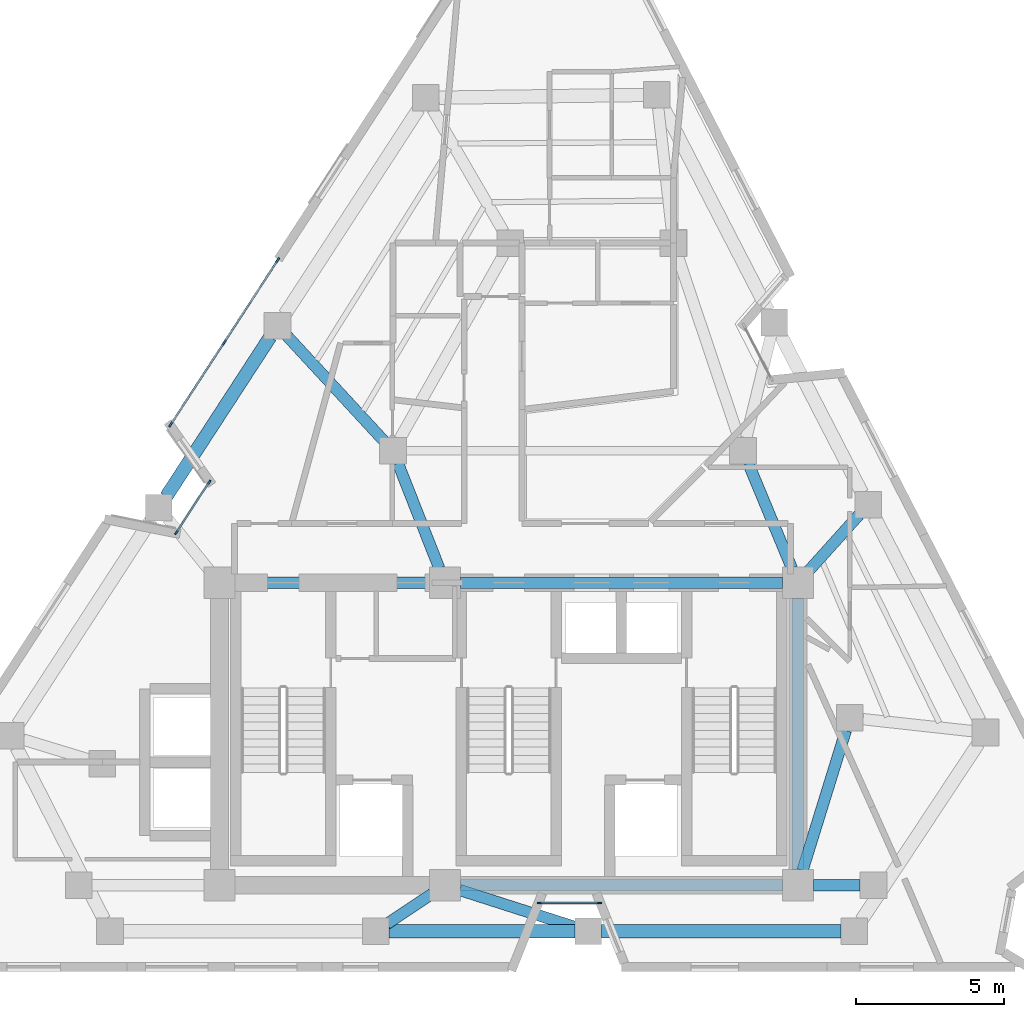
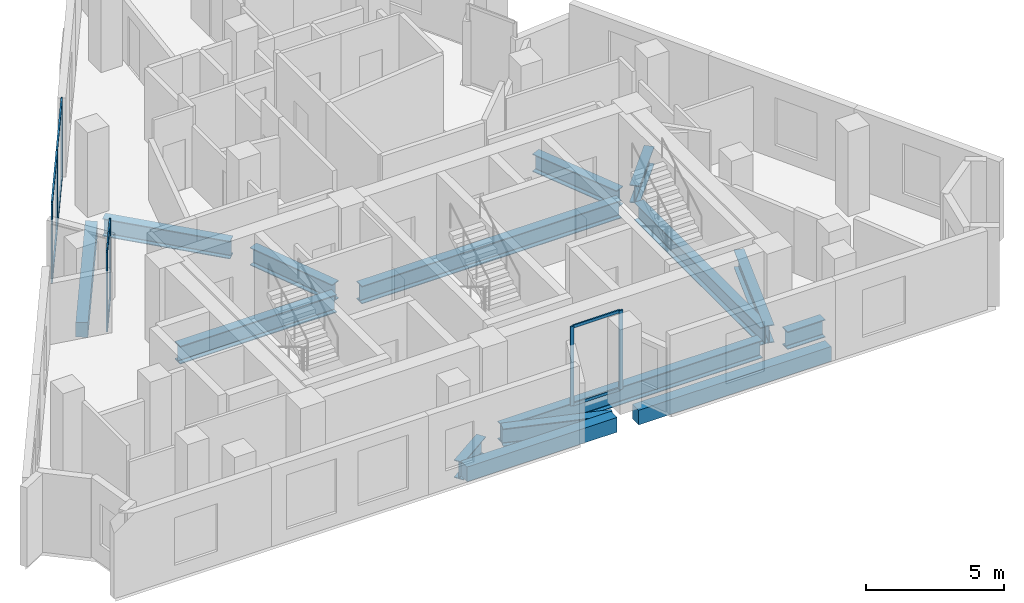
# One storey, part 2 of 9: 15 beams, 15 members, 3 elements without a shape of their own.
"""IFC4 building model written with IfcOpenShell, lengths in metres."""

from ifc_helpers import new_model, si_unit, direction, frame, origin, origin_2d, place, context, subcontext, project, spatial, rectangle, i_section, extrude, material, layer, layer_set, material_profile, profile_set, type_object, element, aggregate, save


model = new_model("IFC4")

# Units and contexts
model_context = context("Model", 3, precision=1e-05, world=origin(), true_north=direction((0.0, 1.0)))
body_context = subcontext(model_context, "Body", "Model", "MODEL_VIEW")
ifc_project = project(units=[si_unit("LENGTHUNIT", "METRE"), si_unit("AREAUNIT", "SQUARE_METRE"), si_unit("VOLUMEUNIT", "CUBIC_METRE"), si_unit("PLANEANGLEUNIT", "RADIAN"), si_unit("MASSUNIT", "GRAM", prefix="KILO")], contexts=[model_context])

# Site, building, storey
site_placement = place(None, origin())
site = spatial("IfcSite", under=ifc_project, at=site_placement, CompositionType="ELEMENT")
building_placement = place(site_placement, origin())
building = spatial("IfcBuilding", under=site, at=building_placement, Name="Almagre Mirador Tower", CompositionType="ELEMENT")
storey_placement = place(building_placement, frame((0.0, 0.0, 210.75)))
storey = spatial("IfcBuildingStorey", under=building, at=storey_placement, Name="L54", CompositionType="ELEMENT", Elevation=210.75)

# Beams
ifc_material_1 = material(Name="Precast concrete C50/60", Category="concrete")
ifc_material_profile_1 = material_profile(ifc_material_1, rectangle(XDim=0.449951171875, YDim=0.64990234375, at=origin_2d()), Name="RC450X650")
ifc_profile_set_1 = profile_set([ifc_material_profile_1], Name="Precast concrete C50/60")
beam_type_1 = type_object("IfcBeamType", Name="BM-SPN-RC450X650", PredefinedType="SPANDREL", material=ifc_profile_set_1)
beam_1_placement = place(storey_placement, frame((33.26611328125, 3.0, -0.574951171875), z_axis=(1.0, 0.0, 0.0), x_axis=(0.0, 1.0, 0.0)))
element("IfcBeam", 1, at=beam_1_placement, inside=storey, type_object=beam_type_1, Name="L54 perimeter spandrel beam PC02-PC03", PredefinedType="SPANDREL", context=body_context, shape_type="SweptSolid", body=[
    extrude(rectangle(XDim=0.449951171875, YDim=0.64990234375, at=origin_2d()), origin(), (0.0, 0.0, 1.0), 6.267822265625),
])
beam_2_placement = place(storey_placement, frame((40.43408203125, 3.0, -0.574951171875), z_axis=(1.0, 0.0, 0.0), x_axis=(0.0, 1.0, 0.0)))
element("IfcBeam", 2, at=beam_2_placement, inside=storey, type_object=beam_type_1, Name="L54 perimeter spandrel beam PC03-PC04", PredefinedType="SPANDREL", context=body_context, shape_type="SweptSolid", body=[
    extrude(rectangle(XDim=0.449951171875, YDim=0.64990234375, at=origin_2d()), origin(), (0.0, 0.0, 1.0), 8.059814453125),
])
beam_3_placement = place(storey_placement, frame((29.260498046875, 23.039794921875, -0.574951171875), z_axis=(-0.545617994426, -0.838034011337, 0.0), x_axis=(0.838034011337, -0.545617994426, 0.0)))
element("IfcBeam", 3, at=beam_3_placement, inside=storey, type_object=beam_type_1, Name="L54 perimeter spandrel beam PC10-PC11", PredefinedType="SPANDREL", context=body_context, shape_type="SweptSolid", body=[
    extrude(rectangle(XDim=0.449951171875, YDim=0.64990234375, at=origin_2d()), origin(), (0.0, 0.0, 1.0), 6.431396484375),
])
ifc_material_2 = material(Name="Steel ASTM A992 Grade 50", Category="steel")
ifc_material_profile_2 = material_profile(ifc_material_2, i_section(OverallWidth=0.384033203125, OverallDepth=0.784912109375, WebThickness=0.019775390625, FlangeThickness=0.033447265625, FilletRadius=0.02392578125, at=origin_2d()), Name="W30X211")
ifc_profile_set_2 = profile_set([ifc_material_profile_2], Name="Steel ASTM A992 Grade 50")
beam_type_2 = type_object("IfcBeamType", Name="BM-STL-W30X211", PredefinedType="BEAM", material=ifc_profile_set_2)
beam_4_placement = place(storey_placement, frame((35.675048828125, 4.550048828125, -0.642578125), z_axis=(1.0, 0.0, 0.0), x_axis=(0.0, 1.0, 0.0)))
element("IfcBeam", 4, at=beam_4_placement, inside=storey, type_object=beam_type_2, Name="L54 core tie girder CC2-CC3", PredefinedType="BEAM", context=body_context, shape_type="SweptSolid", body=[
    extrude(i_section(OverallWidth=0.384033203125, OverallDepth=0.784912109375, WebThickness=0.019775390625, FlangeThickness=0.033447265625, FilletRadius=0.02392578125, at=origin_2d()), origin(), (0.0, 0.0, 1.0), 10.849853515625),
])
beam_5_placement = place(storey_placement, frame((28.074951171875, 14.75, -0.642578125), z_axis=(1.0, 0.0, 0.0), x_axis=(0.0, 1.0, 0.0)))
element("IfcBeam", 5, at=beam_5_placement, inside=storey, type_object=beam_type_2, Name="L54 core tie girder CC4-CC5", PredefinedType="BEAM", context=body_context, shape_type="SweptSolid", body=[
    extrude(i_section(OverallWidth=0.384033203125, OverallDepth=0.784912109375, WebThickness=0.019775390625, FlangeThickness=0.033447265625, FilletRadius=0.02392578125, at=origin_2d()), origin(), (0.0, 0.0, 1.0), 6.550048828125),
])
beam_6_placement = place(storey_placement, frame((35.675048828125, 14.75, -0.642578125), z_axis=(1.0, 0.0, 0.0), x_axis=(0.0, 1.0, 0.0)))
element("IfcBeam", 6, at=beam_6_placement, inside=storey, type_object=beam_type_2, Name="L54 core tie girder CC5-CC6", PredefinedType="BEAM", context=body_context, shape_type="SweptSolid", body=[
    extrude(i_section(OverallWidth=0.384033203125, OverallDepth=0.784912109375, WebThickness=0.019775390625, FlangeThickness=0.033447265625, FilletRadius=0.02392578125, at=origin_2d()), origin(), (0.0, 0.0, 1.0), 10.849853515625),
])
beam_7_placement = place(storey_placement, frame((47.050048828125, 5.074951171875, -0.642578125), z_axis=(0.0, 1.0, 0.0), x_axis=(-1.0, 0.0, 0.0)))
element("IfcBeam", 7, at=beam_7_placement, inside=storey, type_object=beam_type_2, Name="L54 core tie girder CC3-CC6", PredefinedType="BEAM", context=body_context, shape_type="SweptSolid", body=[
    extrude(i_section(OverallWidth=0.384033203125, OverallDepth=0.784912109375, WebThickness=0.019775390625, FlangeThickness=0.033447265625, FilletRadius=0.02392578125, at=origin_2d()), origin(), (0.0, 0.0, 1.0), 9.150146484375),
])
beam_8_placement = place(storey_placement, frame((49.14990234375, 4.550048828125, -0.642578125), z_axis=(-1.0, 0.0, 0.0), x_axis=(0.0, -1.0, 0.0)))
element("IfcBeam", 8, at=beam_8_placement, inside=storey, type_object=beam_type_2, Name="L54 core tie girder MC2-CC3", PredefinedType="BEAM", context=body_context, shape_type="SweptSolid", body=[
    extrude(i_section(OverallWidth=0.384033203125, OverallDepth=0.784912109375, WebThickness=0.019775390625, FlangeThickness=0.033447265625, FilletRadius=0.02392578125, at=origin_2d()), origin(), (0.0, 0.0, 1.0), 1.574951171875),
])
beam_9_placement = place(storey_placement, frame((48.6669921875, 9.77001953125, -0.642578125), z_axis=(-0.295901717967, -0.955218390372, 0.0), x_axis=(0.955218390372, -0.295901717967, 0.0)))
element("IfcBeam", 9, at=beam_9_placement, inside=storey, type_object=beam_type_2, Name="L54 core tie girder MC3-CC3", PredefinedType="BEAM", context=body_context, shape_type="SweptSolid", body=[
    extrude(i_section(OverallWidth=0.384033203125, OverallDepth=0.784912109375, WebThickness=0.019775390625, FlangeThickness=0.033447265625, FilletRadius=0.02392578125, at=origin_2d()), origin(), (0.0, 0.0, 1.0), 4.939697265625),
])
beam_10_placement = place(storey_placement, frame((45.372802734375, 18.784423828125, -0.642578125), z_axis=(0.383862140668, -0.923390414159, 0.0), x_axis=(0.923390414159, 0.383862140668, 0.0)))
element("IfcBeam", 10, at=beam_10_placement, inside=storey, type_object=beam_type_2, Name="L54 core tie girder MC5-CC6", PredefinedType="BEAM", context=body_context, shape_type="SweptSolid", body=[
    extrude(i_section(OverallWidth=0.384033203125, OverallDepth=0.784912109375, WebThickness=0.019775390625, FlangeThickness=0.033447265625, FilletRadius=0.02392578125, at=origin_2d()), origin(), (0.0, 0.0, 1.0), 3.843994140625),
])
beam_11_placement = place(storey_placement, frame((33.564697265625, 18.78125, -0.642578125), z_axis=(0.365999579355, -0.93061501595, 0.0), x_axis=(0.93061501595, 0.365999579355, 0.0)))
element("IfcBeam", 11, at=beam_11_placement, inside=storey, type_object=beam_type_2, Name="L54 core tie girder MC8-CC5", PredefinedType="BEAM", context=body_context, shape_type="SweptSolid", body=[
    extrude(i_section(OverallWidth=0.384033203125, OverallDepth=0.784912109375, WebThickness=0.019775390625, FlangeThickness=0.033447265625, FilletRadius=0.02392578125, at=origin_2d()), origin(), (0.0, 0.0, 1.0), 3.806884765625),
])
beam_12_placement = place(storey_placement, frame((33.19091796875, 3.248779296875, -0.642578125), z_axis=(0.832994863914, 0.553280721419, 0.0), x_axis=(-0.553280721419, 0.832994863914, 0.0)))
element("IfcBeam", 12, at=beam_12_placement, inside=storey, type_object=beam_type_2, Name="L54 radial floor girder PC02-CC2", PredefinedType="BEAM", context=body_context, shape_type="SweptSolid", body=[
    extrude(i_section(OverallWidth=0.384033203125, OverallDepth=0.784912109375, WebThickness=0.019775390625, FlangeThickness=0.033447265625, FilletRadius=0.02392578125, at=origin_2d()), origin(), (0.0, 0.0, 1.0), 1.826904296875),
])
beam_13_placement = place(storey_placement, frame((39.555419921875, 3.137451171875, -0.642578125), z_axis=(-0.952251894345, 0.305313494161, 0.0), x_axis=(-0.305313494161, -0.952251894345, 0.0)))
element("IfcBeam", 13, at=beam_13_placement, inside=storey, type_object=beam_type_2, Name="L54 radial floor girder PC03-CC2", PredefinedType="BEAM", context=body_context, shape_type="SweptSolid", body=[
    extrude(i_section(OverallWidth=0.384033203125, OverallDepth=0.784912109375, WebThickness=0.019775390625, FlangeThickness=0.033447265625, FilletRadius=0.02392578125, at=origin_2d()), origin(), (0.0, 0.0, 1.0), 4.101318359375),
])
beam_14_placement = place(storey_placement, frame((49.11572265625, 17.043701171875, -0.642578125), z_axis=(-0.66921216439, -0.743071382192, 0.0), x_axis=(0.743071382192, -0.66921216439, 0.0)))
element("IfcBeam", 14, at=beam_14_placement, inside=storey, type_object=beam_type_2, Name="L54 radial floor girder PC06-CC6", PredefinedType="BEAM", context=body_context, shape_type="SweptSolid", body=[
    extrude(i_section(OverallWidth=0.384033203125, OverallDepth=0.784912109375, WebThickness=0.019775390625, FlangeThickness=0.033447265625, FilletRadius=0.02392578125, at=origin_2d()), origin(), (0.0, 0.0, 1.0), 2.561767578125),
])
beam_15_placement = place(storey_placement, frame((29.811279296875, 23.08642578125, -0.642578125), z_axis=(0.678399511669, -0.734693203023, 0.0), x_axis=(0.734693203023, 0.678399511669, 0.0)))
element("IfcBeam", 15, at=beam_15_placement, inside=storey, type_object=beam_type_2, Name="L54 radial floor girder PC10-MC8", PredefinedType="BEAM", context=body_context, shape_type="SweptSolid", body=[
    extrude(i_section(OverallWidth=0.384033203125, OverallDepth=0.784912109375, WebThickness=0.019775390625, FlangeThickness=0.033447265625, FilletRadius=0.02392578125, at=origin_2d()), origin(), (0.0, 0.0, 1.0), 4.840087890625),
])

# Curtain wall, members
ifc_material_3 = material(Name="Black anodized aluminium", Category="aluminium")
ifc_layer_1 = layer(ifc_material_3, 0.169921875)
ifc_layer_set_1 = layer_set([ifc_layer_1], Name="Black anodized aluminium")
curtain_wall_type_1 = type_object("IfcCurtainWallType", Name="CW-CRS-SYS", PredefinedType="NOTDEFINED", material=ifc_layer_set_1)
curtain_wall_1_placement = place(storey_placement, origin())
curtain_wall_1 = element("IfcCurtainWall", 16, at=curtain_wall_1_placement, inside=storey, type_object=curtain_wall_type_1, Name="L54 vertical crease curtain wall 01", PredefinedType="NOTDEFINED")
ifc_material_4 = material(Name="Black anodized aluminium", Category="aluminium")
ifc_material_profile_3 = material_profile(ifc_material_4, rectangle(XDim=0.06005859375, YDim=0.14990234375, at=origin_2d()), Name="CWM60X150")
ifc_profile_set_3 = profile_set([ifc_material_profile_3], Name="Black anodized aluminium")
member_type_1 = type_object("IfcMemberType", Name="MBR-CWM60X150", PredefinedType="MULLION", material=ifc_profile_set_3)
member_1_placement = place(storey_placement, frame((26.097412109375, 16.441162109375, 0.0), z_axis=(0.0, 0.0, 1.0), x_axis=(-0.838038799313, 0.545610640334, 0.0)))
member_1 = element("IfcMember", 17, at=member_1_placement, type_object=member_type_1, Name="CW-4 mullion 1", PredefinedType="MULLION", context=body_context, shape_type="SweptSolid", body=[
    extrude(rectangle(XDim=0.06005859375, YDim=0.14990234375, at=origin_2d()), origin(), (0.0, 0.0, 1.0), 3.5),
])
member_2_placement = place(storey_placement, frame((27.20458984375, 18.141845703125, 0.0), z_axis=(0.0, 0.0, 1.0), x_axis=(-0.838038799313, 0.545610640334, 0.0)))
member_2 = element("IfcMember", 18, at=member_2_placement, type_object=member_type_1, Name="CW-4 mullion 2", PredefinedType="MULLION", context=body_context, shape_type="SweptSolid", body=[
    extrude(rectangle(XDim=0.06005859375, YDim=0.14990234375, at=origin_2d()), origin(), (0.0, 0.0, 1.0), 3.5),
])

curtain_wall_2_placement = place(storey_placement, origin())
curtain_wall_2 = element("IfcCurtainWall", 19, at=curtain_wall_2_placement, inside=storey, type_object=curtain_wall_type_1, Name="L54 vertical crease curtain wall 04", PredefinedType="NOTDEFINED")
member_3_placement = place(storey_placement, frame((40.35888671875, 3.949951171875, 0.0), z_axis=(0.0, 0.0, 1.0), x_axis=(0.0, -1.0, 0.0)))
member_3 = element("IfcMember", 20, at=member_3_placement, type_object=member_type_1, Name="CW-4 mullion 1", PredefinedType="MULLION", context=body_context, shape_type="SweptSolid", body=[
    extrude(rectangle(XDim=0.06005859375, YDim=0.14990234375, at=origin_2d()), origin(), (0.0, 0.0, 1.0), 3.5),
])
member_4_placement = place(storey_placement, frame((38.3291015625, 3.949951171875, 0.0), z_axis=(0.0, 0.0, 1.0), x_axis=(0.0, -1.0, 0.0)))
member_4 = element("IfcMember", 21, at=member_4_placement, type_object=member_type_1, Name="CW-4 mullion 2", PredefinedType="MULLION", context=body_context, shape_type="SweptSolid", body=[
    extrude(rectangle(XDim=0.06005859375, YDim=0.14990234375, at=origin_2d()), origin(), (0.0, 0.0, 1.0), 3.5),
])

ifc_material_5 = material(Name="Black anodized aluminium", Category="aluminium")
ifc_layer_2 = layer(ifc_material_5, 0.199951171875)
ifc_layer_set_2 = layer_set([ifc_layer_2], Name="Black anodized aluminium")
curtain_wall_type_2 = type_object("IfcCurtainWallType", Name="CW-RES-H-SYS", PredefinedType="NOTDEFINED", material=ifc_layer_set_2)
curtain_wall_3_placement = place(storey_placement, origin())
curtain_wall_3 = element("IfcCurtainWall", 22, at=curtain_wall_3_placement, inside=storey, type_object=curtain_wall_type_2, Name="L54 curtain wall run 02", PredefinedType="NOTDEFINED")
ifc_material_6 = material(Name="Black anodized aluminium", Category="aluminium")
ifc_material_profile_4 = material_profile(ifc_material_6, rectangle(XDim=0.06494140625, YDim=0.179931640625, at=origin_2d()), Name="CWM65X180")
ifc_profile_set_4 = profile_set([ifc_material_profile_4], Name="Black anodized aluminium")
member_type_2 = type_object("IfcMemberType", Name="MBR-CWM65X180", PredefinedType="MULLION", material=ifc_profile_set_4)
member_5_placement = place(storey_placement, frame((25.90380859375, 20.084228515625, 0.0), z_axis=(0.0, 0.0, 1.0), x_axis=(-0.838036296957, 0.545614483846, 0.0)))
member_5 = element("IfcMember", 23, at=member_5_placement, type_object=member_type_2, Name="CW-3 mullion 1", PredefinedType="MULLION", context=body_context, shape_type="SweptSolid", body=[
    extrude(rectangle(XDim=0.06494140625, YDim=0.179931640625, at=origin_2d()), origin(), (0.0, 0.0, 1.0), 3.5),
])
member_6_placement = place(storey_placement, frame((27.7080078125, 22.85546875, 0.0), z_axis=(0.0, 0.0, 1.0), x_axis=(-0.838036296957, 0.545614483846, 0.0)))
member_6 = element("IfcMember", 24, at=member_6_placement, type_object=member_type_2, Name="CW-3 mullion 2", PredefinedType="MULLION", context=body_context, shape_type="SweptSolid", body=[
    extrude(rectangle(XDim=0.06494140625, YDim=0.179931640625, at=origin_2d()), origin(), (0.0, 0.0, 1.0), 3.5),
])
member_7_placement = place(storey_placement, frame((29.51220703125, 25.626708984375, 0.0), z_axis=(0.0, 0.0, 1.0), x_axis=(-0.838036296957, 0.545614483846, 0.0)))
member_7 = element("IfcMember", 25, at=member_7_placement, type_object=member_type_2, Name="CW-3 mullion 3", PredefinedType="MULLION", context=body_context, shape_type="SweptSolid", body=[
    extrude(rectangle(XDim=0.06494140625, YDim=0.179931640625, at=origin_2d()), origin(), (0.0, 0.0, 1.0), 3.5),
])

# Member
ifc_material_7 = material(Name="Black anodized aluminium", Category="aluminium")
ifc_material_profile_5 = material_profile(ifc_material_7, rectangle(XDim=0.06005859375, YDim=0.1298828125, at=origin_2d()), Name="CWT60X130")
ifc_profile_set_5 = profile_set([ifc_material_profile_5], Name="Black anodized aluminium")
member_type_3 = type_object("IfcMemberType", Name="MBR-CWT60X130", PredefinedType="USERDEFINED", material=ifc_profile_set_5)
member_8_placement = place(storey_placement, frame((26.11376953125, 16.46630859375, 0.030029296875), z_axis=(0.545598259062, 0.838046860091, 0.0), x_axis=(-0.838046860091, 0.545598259062, 0.0)))
member_8 = element("IfcMember", 26, at=member_8_placement, type_object=member_type_3, Name="CW-4 transom 1.1", ObjectType="TRANSOM", PredefinedType="USERDEFINED", context=body_context, shape_type="SweptSolid", body=[
    extrude(rectangle(XDim=0.06005859375, YDim=0.1298828125, at=origin_2d()), origin(), (0.0, 0.0, 1.0), 1.96923828125),
])

member_9_placement = place(storey_placement, frame((26.11376953125, 16.46630859375, 3.469970703125), z_axis=(0.545598259062, 0.838046860091, 0.0), x_axis=(-0.838046860091, 0.545598259062, 0.0)))
member_9 = element("IfcMember", 27, at=member_9_placement, type_object=member_type_3, Name="CW-4 transom 1.2", ObjectType="TRANSOM", PredefinedType="USERDEFINED", context=body_context, shape_type="SweptSolid", body=[
    extrude(rectangle(XDim=0.06005859375, YDim=0.1298828125, at=origin_2d()), origin(), (0.0, 0.0, 1.0), 1.96923828125),
])

aggregate(curtain_wall_1, [member_1, member_2, member_8, member_9])

member_10_placement = place(storey_placement, frame((40.3291015625, 3.949951171875, 0.030029296875), z_axis=(-1.0, 0.0, 0.0), x_axis=(0.0, -1.0, 0.0)))
member_10 = element("IfcMember", 28, at=member_10_placement, type_object=member_type_3, Name="CW-4 transom 1.1", ObjectType="TRANSOM", PredefinedType="USERDEFINED", context=body_context, shape_type="SweptSolid", body=[
    extrude(rectangle(XDim=0.06005859375, YDim=0.1298828125, at=origin_2d()), origin(), (0.0, 0.0, 1.0), 1.97021484375),
])

member_11_placement = place(storey_placement, frame((40.3291015625, 3.949951171875, 3.469970703125), z_axis=(-1.0, 0.0, 0.0), x_axis=(0.0, -1.0, 0.0)))
member_11 = element("IfcMember", 29, at=member_11_placement, type_object=member_type_3, Name="CW-4 transom 1.2", ObjectType="TRANSOM", PredefinedType="USERDEFINED", context=body_context, shape_type="SweptSolid", body=[
    extrude(rectangle(XDim=0.06005859375, YDim=0.1298828125, at=origin_2d()), origin(), (0.0, 0.0, 1.0), 1.97021484375),
])

aggregate(curtain_wall_2, [member_3, member_4, member_10, member_11])

ifc_material_8 = material(Name="Black anodized aluminium", Category="aluminium")
ifc_material_profile_6 = material_profile(ifc_material_8, rectangle(XDim=0.06494140625, YDim=0.14990234375, at=origin_2d()), Name="CWT65X150")
ifc_profile_set_6 = profile_set([ifc_material_profile_6], Name="Black anodized aluminium")
member_type_4 = type_object("IfcMemberType", Name="MBR-CWT65X150", PredefinedType="USERDEFINED", material=ifc_profile_set_6)
member_12_placement = place(storey_placement, frame((25.92138671875, 20.111572265625, 0.032470703125), z_axis=(0.545612905753, 0.838037324393, 0.0), x_axis=(-0.838037324393, 0.545612905753, 0.0)))
member_12 = element("IfcMember", 30, at=member_12_placement, type_object=member_type_4, Name="CW-3 transom 1.1", ObjectType="TRANSOM", PredefinedType="USERDEFINED", context=body_context, shape_type="SweptSolid", body=[
    extrude(rectangle(XDim=0.06494140625, YDim=0.14990234375, at=origin_2d()), origin(), (0.0, 0.0, 1.0), 3.241943359375),
])

member_13_placement = place(storey_placement, frame((25.92138671875, 20.111572265625, 3.467529296875), z_axis=(0.545612905753, 0.838037324393, 0.0), x_axis=(-0.838037324393, 0.545612905753, 0.0)))
member_13 = element("IfcMember", 31, at=member_13_placement, type_object=member_type_4, Name="CW-3 transom 1.2", ObjectType="TRANSOM", PredefinedType="USERDEFINED", context=body_context, shape_type="SweptSolid", body=[
    extrude(rectangle(XDim=0.06494140625, YDim=0.14990234375, at=origin_2d()), origin(), (0.0, 0.0, 1.0), 3.241943359375),
])

member_14_placement = place(storey_placement, frame((27.725830078125, 22.8828125, 0.032470703125), z_axis=(0.545612905753, 0.838037324393, 0.0), x_axis=(-0.838037324393, 0.545612905753, 0.0)))
member_14 = element("IfcMember", 32, at=member_14_placement, type_object=member_type_4, Name="CW-3 transom 2.1", ObjectType="TRANSOM", PredefinedType="USERDEFINED", context=body_context, shape_type="SweptSolid", body=[
    extrude(rectangle(XDim=0.06494140625, YDim=0.14990234375, at=origin_2d()), origin(), (0.0, 0.0, 1.0), 3.241943359375),
])

member_15_placement = place(storey_placement, frame((27.725830078125, 22.8828125, 3.467529296875), z_axis=(0.545612905753, 0.838037324393, 0.0), x_axis=(-0.838037324393, 0.545612905753, 0.0)))
member_15 = element("IfcMember", 33, at=member_15_placement, type_object=member_type_4, Name="CW-3 transom 2.2", ObjectType="TRANSOM", PredefinedType="USERDEFINED", context=body_context, shape_type="SweptSolid", body=[
    extrude(rectangle(XDim=0.06494140625, YDim=0.14990234375, at=origin_2d()), origin(), (0.0, 0.0, 1.0), 3.241943359375),
])

aggregate(curtain_wall_3, [member_5, member_6, member_7, member_12, member_13, member_14, member_15])

save(model, "model.ifc")
